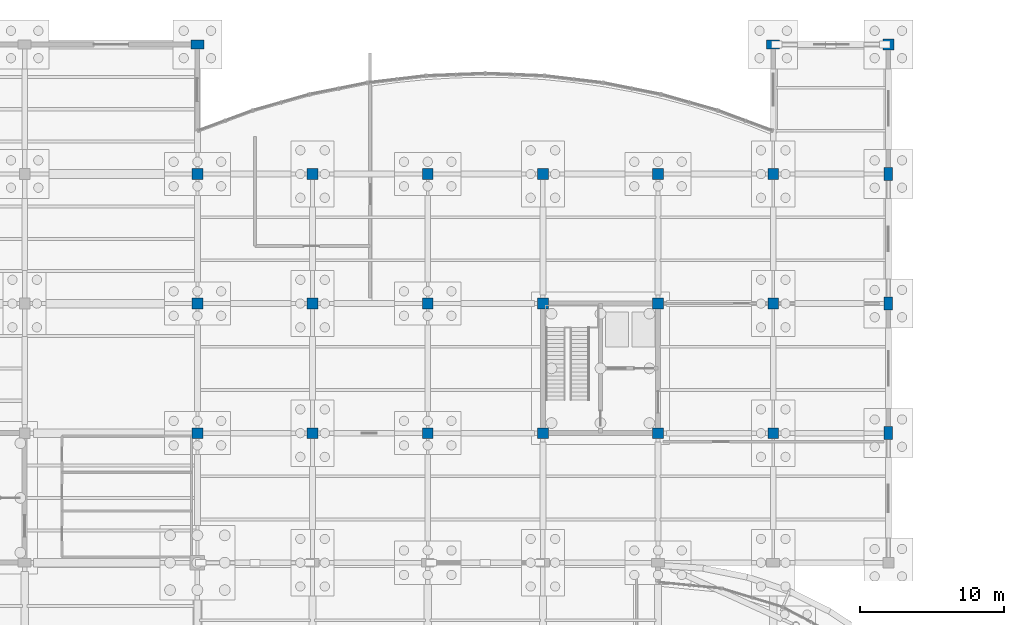
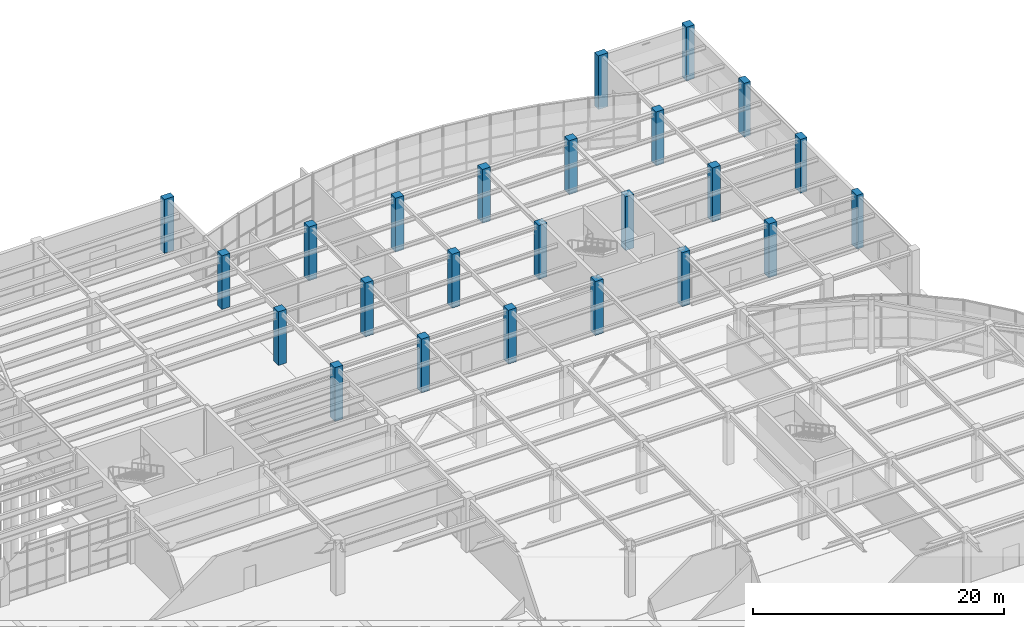
# One storey, part 23 of 85: 24 columns.
"""IFC4 building model written with IfcOpenShell, lengths in metres."""

from ifc_helpers import new_model, si_unit, direction, frame, origin, origin_2d, place, context, subcontext, project, spatial, rectangle, extrude, material, material_profile, profile_set, type_object, element, save


model = new_model("IFC4")

# Units and contexts
model_context = context("Model", 3, precision=1e-05, world=origin(), true_north=direction((0.0, 1.0)))
body_context = subcontext(model_context, "Body", "Model", "MODEL_VIEW")
ifc_project = project(units=[si_unit("LENGTHUNIT", "METRE"), si_unit("AREAUNIT", "SQUARE_METRE"), si_unit("VOLUMEUNIT", "CUBIC_METRE"), si_unit("PLANEANGLEUNIT", "RADIAN"), si_unit("MASSUNIT", "GRAM", prefix="KILO")], contexts=[model_context])

# Site, building, storey
site_placement = place(None, origin())
site = spatial("IfcSite", under=ifc_project, at=site_placement, CompositionType="ELEMENT")
building_placement = place(site_placement, origin())
building = spatial("IfcBuilding", under=site, at=building_placement, Name="Keelwater Ferry Terminal", CompositionType="ELEMENT")
storey_placement = place(building_placement, origin())
storey = spatial("IfcBuildingStorey", under=building, at=storey_placement, Name="L00", CompositionType="ELEMENT", Elevation=0.0)

# Columns
ifc_material_1 = material(Name="Concrete C45/55", Category="concrete")
ifc_material_profile_1 = material_profile(ifc_material_1, rectangle(XDim=0.75, YDim=0.75, at=origin_2d()), Name="RC 750x750")
ifc_profile_set_1 = profile_set([ifc_material_profile_1], Name="Concrete C45/55")
column_type_1 = type_object("IfcColumnType", Name="C2 RC 750x750", PredefinedType="COLUMN", material=ifc_profile_set_1)
for number, where, z_axis, x_axis, name in (
    (1, (132.0, 99.0, 0.0), (0.0, 0.0, 1.0), (1.0, 0.0, 0.0), "Column CL-L00-0260"),
    (2, (132.0, 108.0, 0.0), (0.0, 0.0, 1.0), (1.0, 0.0, 0.0), "Column CL-L00-0266"),
    (3, (132.0, 117.0, 0.0), (0.0, 0.0, 1.0), (1.0, 0.0, 0.0), "Column CL-L00-0272"),
    (4, (140.0, 99.0, 0.0), (0.0, 0.0, 1.0), (1.0, 0.0, 0.0), "Column CL-L00-0312"),
    (5, (140.0, 108.0, 0.0), (0.0, 0.0, 1.0), (1.0, 0.0, 0.0), "Column CL-L00-0318"),
    (6, (140.0, 117.0, 0.0), (0.0, 0.0, 1.0), (1.0, 0.0, 0.0), "Column CL-L00-0324"),
    (7, (148.0, 99.0, 0.0), (0.0, 0.0, 1.0), (1.0, 0.0, 0.0), "Column CL-L00-0359"),
    (8, (148.0, 108.0, 0.0), (0.0, 0.0, 1.0), (1.0, 0.0, 0.0), "Column CL-L00-0365"),
    (9, (148.0, 117.0, 0.0), (0.0, 0.0, 1.0), (1.0, 0.0, 0.0), "Column CL-L00-0371"),
    (10, (156.0, 99.0, 0.0), (0.0, 0.0, 1.0), (1.0, 0.0, 0.0), "Column CL-L00-0398"),
    (11, (156.0, 108.0, 0.0), (0.0, 0.0, 1.0), (1.0, 0.0, 0.0), "Column CL-L00-0404"),
    (12, (156.0, 117.0, 0.0), (0.0, 0.0, 1.0), (1.0, 0.0, 0.0), "Column CL-L00-0410"),
    (13, (164.0, 99.0, 0.0), (0.0, 0.0, 1.0), (1.0, 0.0, 0.0), "Column CL-L00-0437"),
    (14, (164.0, 108.0, 0.0), (0.0, 0.0, 1.0), (1.0, 0.0, 0.0), "Column CL-L00-0443"),
    (15, (164.0, 117.0, 0.0), (0.0, 0.0, 1.0), (1.0, 0.0, 0.0), "Column CL-L00-0449"),
    (16, (172.0, 99.0, 0.0), (0.0, 0.0, 1.0), (1.0, 0.0, 0.0), "Column CL-L00-0470"),
    (17, (172.0, 108.0, 0.0), (0.0, 0.0, 1.0), (1.0, 0.0, 0.0), "Column CL-L00-0476"),
    (18, (172.0, 117.0, 0.0), (0.0, 0.0, 1.0), (1.0, 0.0, 0.0), "Column CL-L00-0482"),
):
    element("IfcColumn", number, at=place(storey_placement, frame(where, z_axis=z_axis, x_axis=x_axis)), inside=storey, type_object=column_type_1, Name=name, PredefinedType="COLUMN", context=body_context, shape_type="SweptSolid", body=[
        extrude(rectangle(XDim=0.75, YDim=0.75, at=origin_2d()), origin(), (0.0, 0.0, 1.0), 5.239990234375),
    ])
ifc_material_2 = material(Name="Concrete C45/55", Category="concrete")
ifc_material_profile_2 = material_profile(ifc_material_2, rectangle(XDim=0.75, YDim=0.75, at=origin_2d()), Name="RC 750x750")
ifc_profile_set_2 = profile_set([ifc_material_profile_2], Name="Concrete C45/55")
column_type_2 = type_object("IfcColumnType", Name="C2E RC 750x750", PredefinedType="COLUMN", material=ifc_profile_set_2)
column_placement = place(storey_placement, frame((180.0, 126.0, 0.0), z_axis=(0.0, 0.0, 1.0), x_axis=(1.0, 0.0, 0.0)))
element("IfcColumn", 19, at=column_placement, inside=storey, type_object=column_type_2, Name="Column CL-L00-0522", PredefinedType="COLUMN", context=body_context, shape_type="SweptSolid", body=[
    extrude(rectangle(XDim=0.75, YDim=0.75, at=origin_2d()), origin(), (0.0, 0.0, 1.0), 5.239990234375),
])
ifc_material_3 = material(Name="Concrete C45/55", Category="concrete")
ifc_material_profile_3 = material_profile(ifc_material_3, rectangle(XDim=0.60009765625, YDim=0.89990234375, at=origin_2d()), Name="RC 900x600")
ifc_profile_set_3 = profile_set([ifc_material_profile_3], Name="Concrete C45/55")
column_type_3 = type_object("IfcColumnType", Name="PL1E RC 900x600", PredefinedType="PILASTER", material=ifc_profile_set_3)
for number, where, z_axis, x_axis, name in (
    (20, (132.0, 126.0, 0.0), (0.0, 0.0, 1.0), (0.0, 1.0, 0.0), "Column CL-L00-0278"),
    (21, (172.0, 126.0, 0.0), (0.0, 0.0, 1.0), (0.0, 1.0, 0.0), "Column CL-L00-0488"),
    (22, (180.0, 99.0, 0.0), (0.0, 0.0, 1.0), (1.0, 0.0, 0.0), "Column CL-L00-0507"),
    (23, (180.0, 108.0, 0.0), (0.0, 0.0, 1.0), (1.0, 0.0, 0.0), "Column CL-L00-0512"),
    (24, (180.0, 117.0, 0.0), (0.0, 0.0, 1.0), (1.0, 0.0, 0.0), "Column CL-L00-0517"),
):
    element("IfcColumn", number, at=place(storey_placement, frame(where, z_axis=z_axis, x_axis=x_axis)), inside=storey, type_object=column_type_3, Name=name, PredefinedType="PILASTER", context=body_context, shape_type="SweptSolid", body=[
        extrude(rectangle(XDim=0.60009765625, YDim=0.89990234375, at=origin_2d()), origin(), (0.0, 0.0, 1.0), 5.239990234375),
    ])

save(model, "model.ifc")
